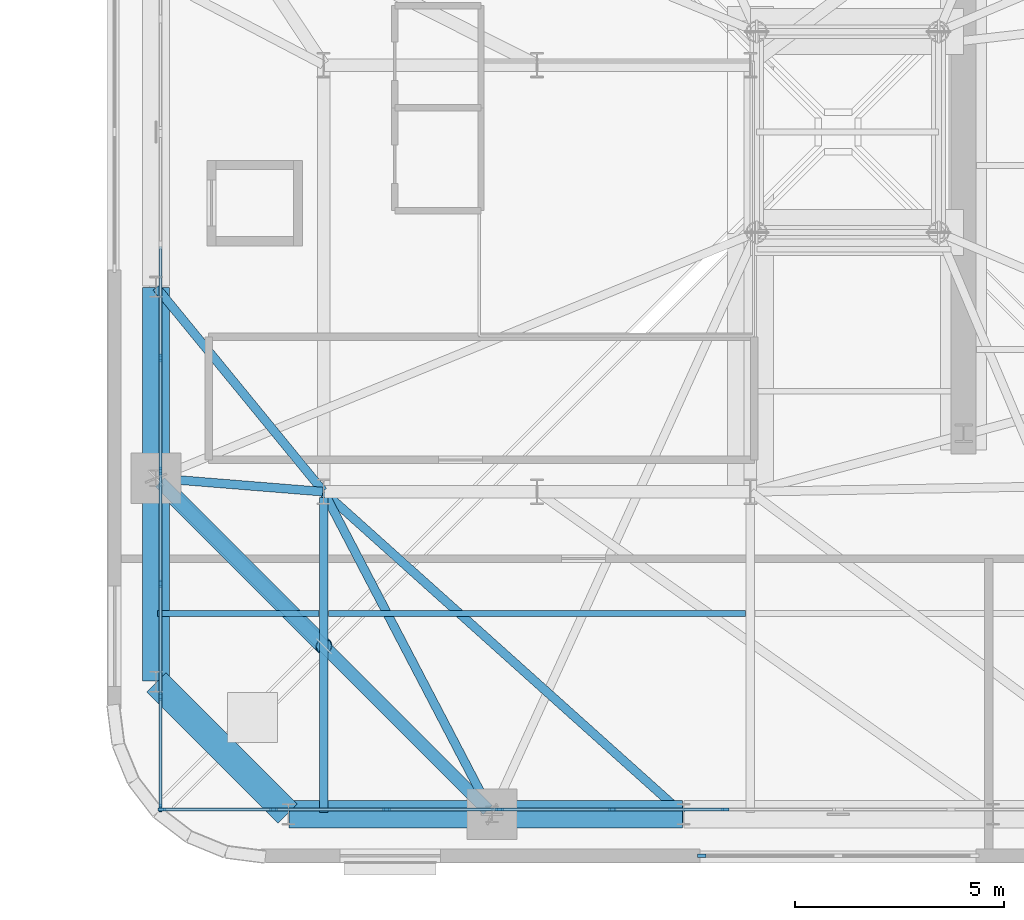
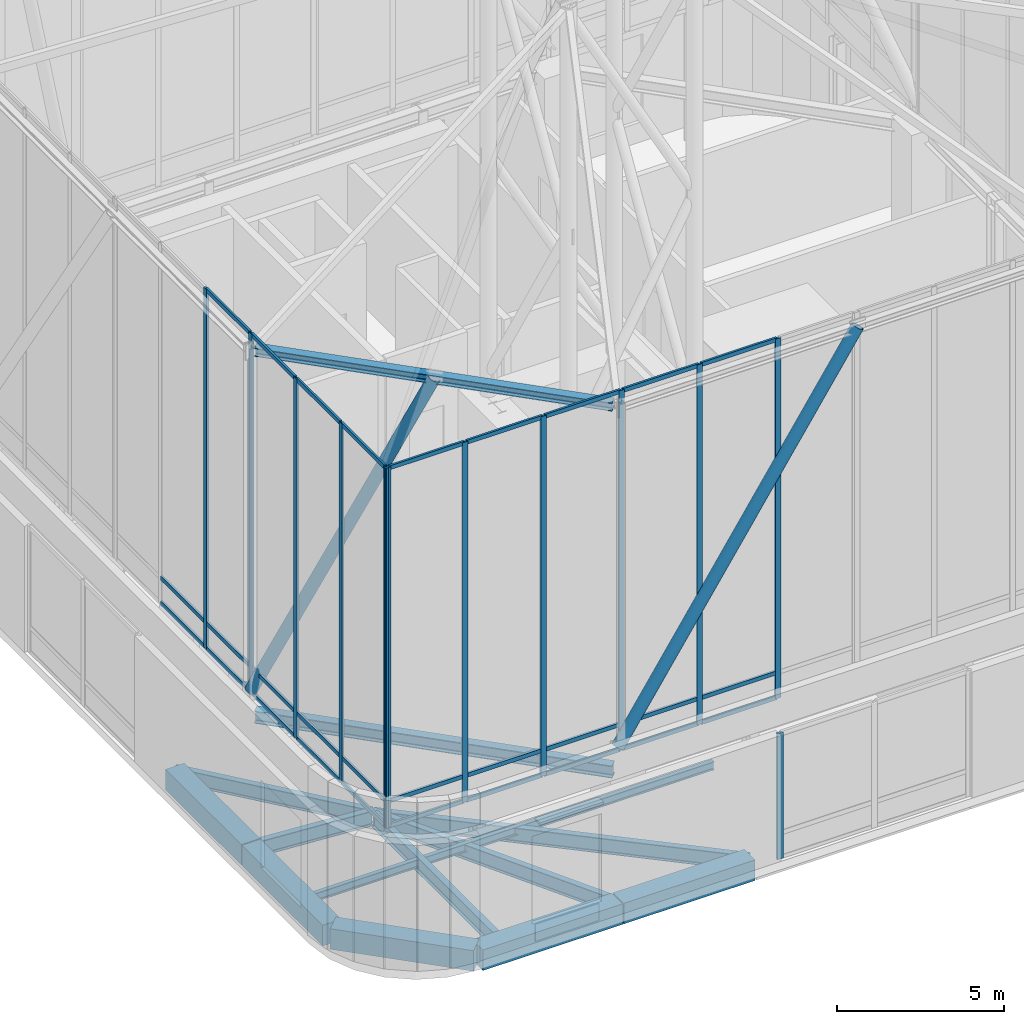
# One storey, part 2 of 15: 43 members, 14 beams, 3 elements without a shape of their own.
"""IFC4 building model written with IfcOpenShell, lengths in metres."""

from ifc_helpers import new_model, si_unit, direction, frame, origin, origin_2d, place, context, subcontext, project, spatial, rectangle, hollow_circle, i_section, extrude, source, transform, mapped, material, material_profile, profile_set, type_object, element, aggregate, save


model = new_model("IFC4")

# Units and contexts
model_context = context("Model", 3, precision=1e-05, world=origin(), true_north=direction((0.0, 1.0)))
body_context = subcontext(model_context, "Body", "Model", "MODEL_VIEW")
ifc_project = project(units=[si_unit("LENGTHUNIT", "METRE"), si_unit("AREAUNIT", "SQUARE_METRE"), si_unit("VOLUMEUNIT", "CUBIC_METRE"), si_unit("PLANEANGLEUNIT", "RADIAN"), si_unit("MASSUNIT", "GRAM", prefix="KILO")], contexts=[model_context])

# Site, building, storey
site_placement = place(None, origin())
site = spatial("IfcSite", under=ifc_project, at=site_placement, CompositionType="ELEMENT")
building_placement = place(site_placement, origin())
building = spatial("IfcBuilding", under=site, at=building_placement, Name="Vardaveli Station Tower", CompositionType="ELEMENT")
storey_placement = place(building_placement, frame((0.0, 0.0, 301.14990234375)))
storey = spatial("IfcBuildingStorey", under=building, at=storey_placement, Name="L76", CompositionType="ELEMENT", Elevation=301.14990234375)

# Beams
ifc_material_1 = material(Name="Structural steel S355J2", Category="steel")
ifc_material_profile_1 = material_profile(ifc_material_1, i_section(OverallWidth=0.14990234375, OverallDepth=0.300048828125, WebThickness=0.007080078125, FlangeThickness=0.0107421875, FilletRadius=0.014892578125, at=origin_2d()), Name="IPE 300")
ifc_profile_set_1 = profile_set([ifc_material_profile_1], Name="Structural steel S355J2")
beam_type_1 = type_object("IfcBeamType", Name="BM-IPE300", PredefinedType="JOIST", material=ifc_profile_set_1)
shared_shape_1 = source(origin(), body_context, "Body", "SweptSolid", [
    extrude(i_section(OverallWidth=0.14990234375, OverallDepth=0.300048828125, WebThickness=0.007080078125, FlangeThickness=0.0107421875, FilletRadius=0.014892578125, at=origin_2d()), origin(), (0.0, 0.0, 1.0), 9.97607421875),
])
beam_1_placement = place(storey_placement, frame((31.31201171875, 13.68994140625, -0.449951171875), z_axis=(1.0, 0.0, 0.0), x_axis=(0.0, 1.0, 0.0)))
element("IfcBeam", 1, at=beam_1_placement, inside=storey, type_object=beam_type_1, Name="SJ-L76-S02", PredefinedType="JOIST", context=body_context, shape_type="MappedRepresentation", body=[
    mapped(shared_shape_1, transform((0.0, 0.0, 0.0), scale=1.0)),
])
ifc_material_2 = material(Name="Precast concrete C45/55", Category="concrete")
ifc_material_profile_2 = material_profile(ifc_material_2, rectangle(XDim=0.64990234375, YDim=0.75, at=origin_2d()), Name="LPB 650x750")
ifc_profile_set_2 = profile_set([ifc_material_profile_2], Name="Precast concrete C45/55")
beam_type_2 = type_object("IfcBeamType", Name="BM-LPB-750", PredefinedType="BEAM", material=ifc_profile_set_2)
shared_shape_2 = source(origin(), body_context, "Body", "SweptSolid", [
    extrude(rectangle(XDim=0.64990234375, YDim=0.75, at=origin_2d()), origin(), (0.0, 0.0, 1.0), 4.535888671875),
])
for number, where, z_axis, x_axis, name in (
    (2, (35.244140625, 8.889892578125, -0.6748046875), (1.0, 0.0, 0.0), (0.0, 1.0, 0.0), "RBM-L76-01"),
    (3, (27.18994140625, 21.47998046875, -0.6748046875), (0.0, -1.0, 0.0), (1.0, 0.0, 0.0), "RBM-L76-21"),
):
    element("IfcBeam", number, at=place(storey_placement, frame(where, z_axis=z_axis, x_axis=x_axis)), inside=storey, type_object=beam_type_2, Name=name, PredefinedType="BEAM", context=body_context, shape_type="MappedRepresentation", body=[
        mapped(shared_shape_2, transform((0.0, 0.0, 0.0), scale=1.0)),
    ])
shared_shape_3 = source(origin(), body_context, "Body", "SweptSolid", [
    extrude(rectangle(XDim=0.64990234375, YDim=0.75, at=origin_2d()), origin(), (0.0, 0.0, 1.0), 4.8271484375),
])
beam_2_placement = place(storey_placement, frame((30.376953125, 8.889892578125, -0.6748046875), z_axis=(1.0, 0.0, 0.0), x_axis=(0.0, 1.0, 0.0)))
element("IfcBeam", 4, at=beam_2_placement, inside=storey, type_object=beam_type_2, Name="RBM-L76-24", PredefinedType="BEAM", context=body_context, shape_type="MappedRepresentation", body=[
    mapped(shared_shape_3, transform((0.0, 0.0, 0.0), scale=1.0)),
])
shared_shape_4 = source(origin(), body_context, "Body", "SweptSolid", [
    extrude(rectangle(XDim=0.64990234375, YDim=0.75, at=origin_2d()), origin(), (0.0, 0.0, 1.0), 4.43896484375),
])
beam_3_placement = place(storey_placement, frame((27.2041015625, 12.04296875, -0.6748046875), z_axis=(0.70707928068, -0.707134280624, 0.0), x_axis=(0.707134280624, 0.70707928068, 0.0)))
element("IfcBeam", 5, at=beam_3_placement, inside=storey, type_object=beam_type_2, Name="RBM-L76-23", PredefinedType="BEAM", context=body_context, shape_type="MappedRepresentation", body=[
    mapped(shared_shape_4, transform((0.0, 0.0, 0.0), scale=1.0)),
])
shared_shape_5 = source(origin(), body_context, "Body", "SweptSolid", [
    extrude(rectangle(XDim=0.64990234375, YDim=0.75, at=origin_2d()), origin(), (0.0, 0.0, 1.0), 4.827392578125),
])
beam_4_placement = place(storey_placement, frame((27.18994140625, 16.904296875, -0.6748046875), z_axis=(0.0, -1.0, 0.0), x_axis=(1.0, 0.0, 0.0)))
element("IfcBeam", 6, at=beam_4_placement, inside=storey, type_object=beam_type_2, Name="RBM-L76-22", PredefinedType="BEAM", context=body_context, shape_type="MappedRepresentation", body=[
    mapped(shared_shape_5, transform((0.0, 0.0, 0.0), scale=1.0)),
])
ifc_material_profile_3 = material_profile(ifc_material_1, i_section(OverallWidth=0.2099609375, OverallDepth=0.550048828125, WebThickness=0.010986328125, FlangeThickness=0.01708984375, FilletRadius=0.02392578125, at=origin_2d()), Name="IPE 550")
ifc_profile_set_3 = profile_set([ifc_material_profile_3], Name="Structural steel S355J2")
beam_type_3 = type_object("IfcBeamType", Name="BM-IPE550", PredefinedType="BEAM", material=ifc_profile_set_3)
shared_shape_6 = source(origin(), body_context, "Body", "SweptSolid", [
    extrude(i_section(OverallWidth=0.2099609375, OverallDepth=0.550048828125, WebThickness=0.010986328125, FlangeThickness=0.01708984375, FilletRadius=0.02392578125, at=origin_2d()), origin(), (0.0, 0.0, 1.0), 8.656982421875),
])
beam_5_placement = place(storey_placement, frame((35.21484375, 8.90771484375, -0.574951171875), z_axis=(-0.46270189642, 0.886513933928, 0.0), x_axis=(-0.886513933928, -0.46270189642, 0.0)))
element("IfcBeam", 7, at=beam_5_placement, inside=storey, type_object=beam_type_3, Name="GBM-L76-01", PredefinedType="BEAM", context=body_context, shape_type="MappedRepresentation", body=[
    mapped(shared_shape_6, transform((0.0, 0.0, 0.0), scale=1.0)),
])
shared_shape_7 = source(origin(), body_context, "Body", "SweptSolid", [
    extrude(i_section(OverallWidth=0.2099609375, OverallDepth=0.550048828125, WebThickness=0.010986328125, FlangeThickness=0.01708984375, FilletRadius=0.02392578125, at=origin_2d()), origin(), (0.0, 0.0, 1.0), 11.51025390625),
])
beam_6_placement = place(storey_placement, frame((39.78515625, 8.9033203125, -0.574951171875), z_axis=(-0.744585799486, 0.667526768904, 0.0), x_axis=(-0.667526768904, -0.744585799486, 0.0)))
element("IfcBeam", 8, at=beam_6_placement, inside=storey, type_object=beam_type_3, Name="GBM-L76-02", PredefinedType="BEAM", context=body_context, shape_type="MappedRepresentation", body=[
    mapped(shared_shape_7, transform((0.0, 0.0, 0.0), scale=1.0)),
])
shared_shape_8 = source(origin(), body_context, "Body", "SweptSolid", [
    extrude(i_section(OverallWidth=0.2099609375, OverallDepth=0.550048828125, WebThickness=0.010986328125, FlangeThickness=0.01708984375, FilletRadius=0.02392578125, at=origin_2d()), origin(), (0.0, 0.0, 1.0), 6.291748046875),
])
beam_7_placement = place(storey_placement, frame((27.20263671875, 21.484619140625, -0.574951171875), z_axis=(0.633311744511, -0.773896785278, 0.0), x_axis=(0.773896785278, 0.633311744511, 0.0)))
element("IfcBeam", 9, at=beam_7_placement, inside=storey, type_object=beam_type_3, Name="GBM-L76-09", PredefinedType="BEAM", context=body_context, shape_type="MappedRepresentation", body=[
    mapped(shared_shape_8, transform((0.0, 0.0, 0.0), scale=1.0)),
])
shared_shape_9 = source(origin(), body_context, "Body", "SweptSolid", [
    extrude(i_section(OverallWidth=0.2099609375, OverallDepth=0.550048828125, WebThickness=0.010986328125, FlangeThickness=0.01708984375, FilletRadius=0.02392578125, at=origin_2d()), origin(), (0.0, 0.0, 1.0), 3.983154296875),
])
beam_8_placement = place(storey_placement, frame((27.2099609375, 16.922607421875, -0.574951171875), z_axis=(0.996746505308, -0.08060027392, 0.0), x_axis=(0.08060027392, 0.996746505308, 0.0)))
element("IfcBeam", 10, at=beam_8_placement, inside=storey, type_object=beam_type_3, Name="GBM-L76-10", PredefinedType="BEAM", context=body_context, shape_type="MappedRepresentation", body=[
    mapped(shared_shape_9, transform((0.0, 0.0, 0.0), scale=1.0)),
])
shared_shape_10 = source(origin(), body_context, "Body", "SweptSolid", [
    extrude(i_section(OverallWidth=0.2099609375, OverallDepth=0.550048828125, WebThickness=0.010986328125, FlangeThickness=0.01708984375, FilletRadius=0.02392578125, at=origin_2d()), origin(), (0.0, 0.0, 1.0), 7.530029296875),
])
beam_9_placement = place(storey_placement, frame((31.199951171875, 8.929931640625, -0.574951171875), z_axis=(0.0, 1.0, 0.0), x_axis=(-1.0, 0.0, 0.0)))
element("IfcBeam", 11, at=beam_9_placement, inside=storey, type_object=beam_type_3, Name="NSM-L76-S1", PredefinedType="BEAM", context=body_context, shape_type="MappedRepresentation", body=[
    mapped(shared_shape_10, transform((0.0, 0.0, 0.0), scale=1.0)),
])
shared_shape_11 = source(origin(), body_context, "Body", "SweptSolid", [
    extrude(i_section(OverallWidth=0.14990234375, OverallDepth=0.300048828125, WebThickness=0.007080078125, FlangeThickness=0.0107421875, FilletRadius=0.014892578125, at=origin_2d()), origin(), (0.0, 0.0, 1.0), 3.85791015625),
])
beam_10_placement = place(storey_placement, frame((27.22998046875, 13.68994140625, -0.449951171875), z_axis=(1.0, 0.0, 0.0), x_axis=(0.0, 1.0, 0.0)))
element("IfcBeam", 12, at=beam_10_placement, inside=storey, type_object=beam_type_1, Name="SJ-L76-S01", PredefinedType="JOIST", context=body_context, shape_type="MappedRepresentation", body=[
    mapped(shared_shape_11, transform((0.0, 0.0, 0.0), scale=1.0)),
])
ifc_material_profile_4 = material_profile(ifc_material_1, i_section(OverallWidth=0.300048828125, OverallDepth=0.449951171875, WebThickness=0.013916015625, FlangeThickness=0.02587890625, FilletRadius=0.027099609375, at=origin_2d()), Name="HEB 450")
ifc_profile_set_4 = profile_set([ifc_material_profile_4], Name="Structural steel S355J2")
beam_type_4 = type_object("IfcBeamType", Name="BM-HEB450", PredefinedType="BEAM", material=ifc_profile_set_4)
shared_shape_12 = source(origin(), body_context, "Body", "SweptSolid", [
    extrude(i_section(OverallWidth=0.300048828125, OverallDepth=0.449951171875, WebThickness=0.013916015625, FlangeThickness=0.02587890625, FilletRadius=0.027099609375, at=origin_2d()), origin(), (0.0, 0.0, 1.0), 11.08203125),
])
beam_11_placement = place(storey_placement, frame((27.2890625, 16.8251953125, 4.375), z_axis=(0.707106781187, -0.707106781187, 0.0), x_axis=(0.707106781187, 0.707106781187, 0.0)))
element("IfcBeam", 13, at=beam_11_placement, inside=storey, type_object=beam_type_4, Name="CRB-BASE-08", PredefinedType="BEAM", context=body_context, shape_type="MappedRepresentation", body=[
    mapped(shared_shape_12, transform((0.0, 0.0, 0.0), scale=1.0)),
])

# Members
ifc_material_3 = material(Name="Structural steel S460M", Category="steel")
ifc_material_profile_5 = material_profile(ifc_material_3, hollow_circle(Radius=0.203125, WallThickness=0.02001953125, at=origin_2d()), Name="CHS 406.4x20")
ifc_profile_set_5 = profile_set([ifc_material_profile_5], Name="Structural steel S460M")
member_type_1 = type_object("IfcMemberType", Name="MEM-ST-CHS406", PredefinedType="STRUT", material=ifc_profile_set_5)
shared_shape_13 = source(origin(), body_context, "Body", "SweptSolid", [
    extrude(hollow_circle(Radius=0.203125, WallThickness=0.02001953125, at=origin_2d()), origin(), (0.0, 0.0, 1.0), 14.949951171875),
])
member_1_placement = place(storey_placement, frame((35.22412109375, 8.889892578125, 5.25), z_axis=(0.553576644166, 0.0, 0.832798234288), x_axis=(0.0, 1.0, 0.0)))
element("IfcMember", 14, at=member_1_placement, inside=storey, type_object=member_type_1, Name="CRM-STR-01", PredefinedType="STRUT", context=body_context, shape_type="MappedRepresentation", body=[
    mapped(shared_shape_13, transform((0.0, 0.0, 0.0), scale=1.0)),
])
shared_shape_14 = source(origin(), body_context, "Body", "SweptSolid", [
    extrude(hollow_circle(Radius=0.203125, WallThickness=0.02001953125, at=origin_2d()), origin(), (0.0, 0.0, 1.0), 13.68505859375),
])
member_2_placement = place(storey_placement, frame((27.18994140625, 16.92431640625, 5.25), z_axis=(0.2935364006, -0.29355424042, 0.909759467911), x_axis=(0.70712826759, 0.707085294131, 0.0)))
element("IfcMember", 15, at=member_2_placement, inside=storey, type_object=member_type_1, Name="CRM-STR-08", PredefinedType="STRUT", context=body_context, shape_type="MappedRepresentation", body=[
    mapped(shared_shape_14, transform((0.0, 0.0, 0.0), scale=1.0)),
])

# Beam
ifc_material_profile_6 = material_profile(ifc_material_1, i_section(OverallWidth=0.300048828125, OverallDepth=0.300048828125, WebThickness=0.010986328125, FlangeThickness=0.01904296875, FilletRadius=0.027099609375, at=origin_2d()), Name="HEB 300")
ifc_profile_set_6 = profile_set([ifc_material_profile_6], Name="Structural steel S355J2")
beam_type_5 = type_object("IfcBeamType", Name="BM-HEB300", PredefinedType="BEAM", material=ifc_profile_set_6)
shared_shape_15 = source(origin(), body_context, "Body", "SweptSolid", [
    extrude(i_section(OverallWidth=0.300048828125, OverallDepth=0.300048828125, WebThickness=0.010986328125, FlangeThickness=0.01904296875, FilletRadius=0.027099609375, at=origin_2d()), origin(), (0.0, 0.0, 1.0), 11.08203125),
])
beam_12_placement = place(storey_placement, frame((27.2890625, 16.8251953125, 17.7001953125), z_axis=(0.707106781187, -0.707106781187, 0.0), x_axis=(0.707106781187, 0.707106781187, 0.0)))
element("IfcBeam", 16, at=beam_12_placement, inside=storey, type_object=beam_type_5, Name="CRB-EAVE-08", PredefinedType="BEAM", context=body_context, shape_type="MappedRepresentation", body=[
    mapped(shared_shape_15, transform((0.0, 0.0, 0.0), scale=1.0)),
])

# Curtain wall, member
ifc_material_4 = material(Name="Travertine stone and solar-control glass", Category="masonry")
curtain_wall_type_1 = type_object("IfcCurtainWallType", Name="CW-SYS-5", PredefinedType="NOTDEFINED", material=ifc_material_4)
curtain_wall_1_placement = place(storey_placement, origin())
curtain_wall_1 = element("IfcCurtainWall", 17, at=curtain_wall_1_placement, inside=storey, type_object=curtain_wall_type_1, Name="CW-L76-S", PredefinedType="NOTDEFINED")
ifc_material_5 = material(Name="Anodised aluminium alloy 6063-T6", Category="aluminium")
ifc_material_profile_7 = material_profile(ifc_material_5, rectangle(XDim=0.080078125, YDim=0.205078125, at=origin_2d()), Name="CWM 80x205")
ifc_profile_set_7 = profile_set([ifc_material_profile_7], Name="Anodised aluminium alloy 6063-T6")
member_type_2 = type_object("IfcMemberType", Name="CW-SYS-5-MULL", PredefinedType="MULLION", material=ifc_profile_set_7)
shared_shape_16 = source(origin(), body_context, "Body", "SweptSolid", [
    extrude(rectangle(XDim=0.080078125, YDim=0.205078125, at=origin_2d()), origin(), (0.0, 0.0, 1.0), 4.60009765625),
])
member_3_placement = place(storey_placement, frame((40.239990234375, 7.89990234375, 0.0), z_axis=(0.0, 0.0, 1.0), x_axis=(0.0, 1.0, 0.0)))
member_3 = element("IfcMember", 18, at=member_3_placement, type_object=member_type_2, Name="CW-5 mullion 1", PredefinedType="MULLION", context=body_context, shape_type="MappedRepresentation", body=[
    mapped(shared_shape_16, transform((0.0, 0.0, 0.0), scale=1.0)),
])
aggregate(curtain_wall_1, [member_3])

# Curtain wall, members
curtain_wall_type_2 = type_object("IfcCurtainWallType", Name="CW-SYS-6", PredefinedType="NOTDEFINED", material=ifc_material_4)
curtain_wall_2_placement = place(storey_placement, origin())
curtain_wall_2 = element("IfcCurtainWall", 19, at=curtain_wall_2_placement, inside=storey, type_object=curtain_wall_type_2, Name="CW-L76-CRN-S1", PredefinedType="NOTDEFINED")
ifc_material_profile_8 = material_profile(ifc_material_5, rectangle(XDim=0.074951171875, YDim=0.18994140625, at=origin_2d()), Name="CWM 75x190")
ifc_profile_set_8 = profile_set([ifc_material_profile_8], Name="Anodised aluminium alloy 6063-T6")
member_type_3 = type_object("IfcMemberType", Name="CW-SYS-6-MULL", PredefinedType="MULLION", material=ifc_profile_set_8)
shared_shape_17 = source(origin(), body_context, "Body", "SweptSolid", [
    extrude(rectangle(XDim=0.074951171875, YDim=0.18994140625, at=origin_2d()), origin(), (0.0, 0.0, 1.0), 13.150146484375),
])
member_4_placement = place(storey_placement, frame((27.33740234375, 9.0, 5.0), z_axis=(0.0, 0.0, 1.0), x_axis=(0.0, 1.0, 0.0)))
member_4 = element("IfcMember", 20, at=member_4_placement, type_object=member_type_3, Name="CW-6 mullion 1", PredefinedType="MULLION", context=body_context, shape_type="MappedRepresentation", body=[
    mapped(shared_shape_17, transform((0.0, 0.0, 0.0), scale=1.0)),
])
member_5_placement = place(storey_placement, frame((30.0, 9.0, 5.0), z_axis=(0.0, 0.0, 1.0), x_axis=(0.0, 1.0, 0.0)))
member_5 = element("IfcMember", 21, at=member_5_placement, type_object=member_type_3, Name="CW-6 mullion 2", PredefinedType="MULLION", context=body_context, shape_type="MappedRepresentation", body=[
    mapped(shared_shape_17, transform((0.0, 0.0, 0.0), scale=1.0)),
])
member_6_placement = place(storey_placement, frame((32.699951171875, 9.0, 5.0), z_axis=(0.0, 0.0, 1.0), x_axis=(0.0, 1.0, 0.0)))
member_6 = element("IfcMember", 22, at=member_6_placement, type_object=member_type_3, Name="CW-6 mullion 3", PredefinedType="MULLION", context=body_context, shape_type="MappedRepresentation", body=[
    mapped(shared_shape_17, transform((0.0, 0.0, 0.0), scale=1.0)),
])
member_7_placement = place(storey_placement, frame((35.39990234375, 9.0, 5.0), z_axis=(0.0, 0.0, 1.0), x_axis=(0.0, 1.0, 0.0)))
member_7 = element("IfcMember", 23, at=member_7_placement, type_object=member_type_3, Name="CW-6 mullion 4", PredefinedType="MULLION", context=body_context, shape_type="MappedRepresentation", body=[
    mapped(shared_shape_17, transform((0.0, 0.0, 0.0), scale=1.0)),
])
member_8_placement = place(storey_placement, frame((38.10009765625, 9.0, 5.0), z_axis=(0.0, 0.0, 1.0), x_axis=(0.0, 1.0, 0.0)))
member_8 = element("IfcMember", 24, at=member_8_placement, type_object=member_type_3, Name="CW-6 mullion 5", PredefinedType="MULLION", context=body_context, shape_type="MappedRepresentation", body=[
    mapped(shared_shape_17, transform((0.0, 0.0, 0.0), scale=1.0)),
])
member_9_placement = place(storey_placement, frame((40.800048828125, 9.0, 5.0), z_axis=(0.0, 0.0, 1.0), x_axis=(0.0, 1.0, 0.0)))
member_9 = element("IfcMember", 25, at=member_9_placement, type_object=member_type_3, Name="CW-6 mullion 6", PredefinedType="MULLION", context=body_context, shape_type="MappedRepresentation", body=[
    mapped(shared_shape_17, transform((0.0, 0.0, 0.0), scale=1.0)),
])

curtain_wall_3_placement = place(storey_placement, origin())
curtain_wall_3 = element("IfcCurtainWall", 26, at=curtain_wall_3_placement, inside=storey, type_object=curtain_wall_type_2, Name="CW-L76-CRN-W2", PredefinedType="NOTDEFINED")
member_10_placement = place(storey_placement, frame((27.300048828125, 19.800048828125, 5.0), z_axis=(0.0, 0.0, 1.0), x_axis=(1.0, 0.0, 0.0)))
member_10 = element("IfcMember", 27, at=member_10_placement, type_object=member_type_3, Name="CW-6 mullion 3", PredefinedType="MULLION", context=body_context, shape_type="MappedRepresentation", body=[
    mapped(shared_shape_17, transform((0.0, 0.0, 0.0), scale=1.0)),
])
member_11_placement = place(storey_placement, frame((27.300048828125, 17.10009765625, 5.0), z_axis=(0.0, 0.0, 1.0), x_axis=(1.0, 0.0, 0.0)))
member_11 = element("IfcMember", 28, at=member_11_placement, type_object=member_type_3, Name="CW-6 mullion 4", PredefinedType="MULLION", context=body_context, shape_type="MappedRepresentation", body=[
    mapped(shared_shape_17, transform((0.0, 0.0, 0.0), scale=1.0)),
])
member_12_placement = place(storey_placement, frame((27.300048828125, 14.39990234375, 5.0), z_axis=(0.0, 0.0, 1.0), x_axis=(1.0, 0.0, 0.0)))
member_12 = element("IfcMember", 29, at=member_12_placement, type_object=member_type_3, Name="CW-6 mullion 5", PredefinedType="MULLION", context=body_context, shape_type="MappedRepresentation", body=[
    mapped(shared_shape_17, transform((0.0, 0.0, 0.0), scale=1.0)),
])
member_13_placement = place(storey_placement, frame((27.300048828125, 11.699951171875, 5.0), z_axis=(0.0, 0.0, 1.0), x_axis=(1.0, 0.0, 0.0)))
member_13 = element("IfcMember", 30, at=member_13_placement, type_object=member_type_3, Name="CW-6 mullion 6", PredefinedType="MULLION", context=body_context, shape_type="MappedRepresentation", body=[
    mapped(shared_shape_17, transform((0.0, 0.0, 0.0), scale=1.0)),
])
member_14_placement = place(storey_placement, frame((27.300048828125, 9.03759765625, 5.0), z_axis=(0.0, 0.0, 1.0), x_axis=(1.0, 0.0, 0.0)))
member_14 = element("IfcMember", 31, at=member_14_placement, type_object=member_type_3, Name="CW-6 mullion 7", PredefinedType="MULLION", context=body_context, shape_type="MappedRepresentation", body=[
    mapped(shared_shape_17, transform((0.0, 0.0, 0.0), scale=1.0)),
])

# Member
ifc_material_profile_9 = material_profile(ifc_material_5, rectangle(XDim=0.074951171875, YDim=0.14990234375, at=origin_2d()), Name="CWT 75x150")
ifc_profile_set_9 = profile_set([ifc_material_profile_9], Name="Anodised aluminium alloy 6063-T6")
member_type_4 = type_object("IfcMemberType", Name="CW-SYS-6-TRAN", PredefinedType="NOTDEFINED", material=ifc_profile_set_9)
shared_shape_18 = source(origin(), body_context, "Body", "SweptSolid", [
    extrude(rectangle(XDim=0.074951171875, YDim=0.14990234375, at=origin_2d()), origin(), (0.0, 0.0, 1.0), 2.58740234375),
])
member_15_placement = place(storey_placement, frame((27.375, 9.0, 5.03759765625), z_axis=(1.0, 0.0, 0.0), x_axis=(0.0, 1.0, 0.0)))
member_15 = element("IfcMember", 32, at=member_15_placement, type_object=member_type_4, Name="CW-6 transom 1.1", ObjectType="TRANSOM", PredefinedType="USERDEFINED", context=body_context, shape_type="MappedRepresentation", body=[
    mapped(shared_shape_18, transform((0.0, 0.0, 0.0), scale=1.0)),
])

member_16_placement = place(storey_placement, frame((27.375, 9.0, 5.9501953125), z_axis=(1.0, 0.0, 0.0), x_axis=(0.0, 1.0, 0.0)))
member_16 = element("IfcMember", 33, at=member_16_placement, type_object=member_type_4, Name="CW-6 transom 1.2", ObjectType="TRANSOM", PredefinedType="USERDEFINED", context=body_context, shape_type="MappedRepresentation", body=[
    mapped(shared_shape_18, transform((0.0, 0.0, 0.0), scale=1.0)),
])

member_17_placement = place(storey_placement, frame((27.375, 9.0, 18.112548828125), z_axis=(1.0, 0.0, 0.0), x_axis=(0.0, 1.0, 0.0)))
member_17 = element("IfcMember", 34, at=member_17_placement, type_object=member_type_4, Name="CW-6 transom 1.3", ObjectType="TRANSOM", PredefinedType="USERDEFINED", context=body_context, shape_type="MappedRepresentation", body=[
    mapped(shared_shape_18, transform((0.0, 0.0, 0.0), scale=1.0)),
])

shared_shape_19 = source(origin(), body_context, "Body", "SweptSolid", [
    extrude(rectangle(XDim=0.074951171875, YDim=0.14990234375, at=origin_2d()), origin(), (0.0, 0.0, 1.0), 2.625),
])
member_18_placement = place(storey_placement, frame((30.03759765625, 9.0, 5.03759765625), z_axis=(1.0, 0.0, 0.0), x_axis=(0.0, 1.0, 0.0)))
member_18 = element("IfcMember", 35, at=member_18_placement, type_object=member_type_4, Name="CW-6 transom 2.1", ObjectType="TRANSOM", PredefinedType="USERDEFINED", context=body_context, shape_type="MappedRepresentation", body=[
    mapped(shared_shape_19, transform((0.0, 0.0, 0.0), scale=1.0)),
])

member_19_placement = place(storey_placement, frame((30.03759765625, 9.0, 5.9501953125), z_axis=(1.0, 0.0, 0.0), x_axis=(0.0, 1.0, 0.0)))
member_19 = element("IfcMember", 36, at=member_19_placement, type_object=member_type_4, Name="CW-6 transom 2.2", ObjectType="TRANSOM", PredefinedType="USERDEFINED", context=body_context, shape_type="MappedRepresentation", body=[
    mapped(shared_shape_19, transform((0.0, 0.0, 0.0), scale=1.0)),
])

member_20_placement = place(storey_placement, frame((30.03759765625, 9.0, 18.112548828125), z_axis=(1.0, 0.0, 0.0), x_axis=(0.0, 1.0, 0.0)))
member_20 = element("IfcMember", 37, at=member_20_placement, type_object=member_type_4, Name="CW-6 transom 2.3", ObjectType="TRANSOM", PredefinedType="USERDEFINED", context=body_context, shape_type="MappedRepresentation", body=[
    mapped(shared_shape_19, transform((0.0, 0.0, 0.0), scale=1.0)),
])

member_21_placement = place(storey_placement, frame((32.737548828125, 9.0, 5.03759765625), z_axis=(1.0, 0.0, 0.0), x_axis=(0.0, 1.0, 0.0)))
member_21 = element("IfcMember", 38, at=member_21_placement, type_object=member_type_4, Name="CW-6 transom 3.1", ObjectType="TRANSOM", PredefinedType="USERDEFINED", context=body_context, shape_type="MappedRepresentation", body=[
    mapped(shared_shape_19, transform((0.0, 0.0, 0.0), scale=1.0)),
])

member_22_placement = place(storey_placement, frame((32.737548828125, 9.0, 5.9501953125), z_axis=(1.0, 0.0, 0.0), x_axis=(0.0, 1.0, 0.0)))
member_22 = element("IfcMember", 39, at=member_22_placement, type_object=member_type_4, Name="CW-6 transom 3.2", ObjectType="TRANSOM", PredefinedType="USERDEFINED", context=body_context, shape_type="MappedRepresentation", body=[
    mapped(shared_shape_19, transform((0.0, 0.0, 0.0), scale=1.0)),
])

member_23_placement = place(storey_placement, frame((32.737548828125, 9.0, 18.112548828125), z_axis=(1.0, 0.0, 0.0), x_axis=(0.0, 1.0, 0.0)))
member_23 = element("IfcMember", 40, at=member_23_placement, type_object=member_type_4, Name="CW-6 transom 3.3", ObjectType="TRANSOM", PredefinedType="USERDEFINED", context=body_context, shape_type="MappedRepresentation", body=[
    mapped(shared_shape_19, transform((0.0, 0.0, 0.0), scale=1.0)),
])

member_24_placement = place(storey_placement, frame((35.4375, 9.0, 5.03759765625), z_axis=(1.0, 0.0, 0.0), x_axis=(0.0, 1.0, 0.0)))
member_24 = element("IfcMember", 41, at=member_24_placement, type_object=member_type_4, Name="CW-6 transom 4.1", ObjectType="TRANSOM", PredefinedType="USERDEFINED", context=body_context, shape_type="MappedRepresentation", body=[
    mapped(shared_shape_19, transform((0.0, 0.0, 0.0), scale=1.0)),
])

member_25_placement = place(storey_placement, frame((35.4375, 9.0, 5.9501953125), z_axis=(1.0, 0.0, 0.0), x_axis=(0.0, 1.0, 0.0)))
member_25 = element("IfcMember", 42, at=member_25_placement, type_object=member_type_4, Name="CW-6 transom 4.2", ObjectType="TRANSOM", PredefinedType="USERDEFINED", context=body_context, shape_type="MappedRepresentation", body=[
    mapped(shared_shape_19, transform((0.0, 0.0, 0.0), scale=1.0)),
])

member_26_placement = place(storey_placement, frame((35.4375, 9.0, 18.112548828125), z_axis=(1.0, 0.0, 0.0), x_axis=(0.0, 1.0, 0.0)))
member_26 = element("IfcMember", 43, at=member_26_placement, type_object=member_type_4, Name="CW-6 transom 4.3", ObjectType="TRANSOM", PredefinedType="USERDEFINED", context=body_context, shape_type="MappedRepresentation", body=[
    mapped(shared_shape_19, transform((0.0, 0.0, 0.0), scale=1.0)),
])

member_27_placement = place(storey_placement, frame((38.137451171875, 9.0, 5.03759765625), z_axis=(1.0, 0.0, 0.0), x_axis=(0.0, 1.0, 0.0)))
member_27 = element("IfcMember", 44, at=member_27_placement, type_object=member_type_4, Name="CW-6 transom 5.1", ObjectType="TRANSOM", PredefinedType="USERDEFINED", context=body_context, shape_type="MappedRepresentation", body=[
    mapped(shared_shape_19, transform((0.0, 0.0, 0.0), scale=1.0)),
])

member_28_placement = place(storey_placement, frame((38.137451171875, 9.0, 5.9501953125), z_axis=(1.0, 0.0, 0.0), x_axis=(0.0, 1.0, 0.0)))
member_28 = element("IfcMember", 45, at=member_28_placement, type_object=member_type_4, Name="CW-6 transom 5.2", ObjectType="TRANSOM", PredefinedType="USERDEFINED", context=body_context, shape_type="MappedRepresentation", body=[
    mapped(shared_shape_19, transform((0.0, 0.0, 0.0), scale=1.0)),
])

member_29_placement = place(storey_placement, frame((38.137451171875, 9.0, 18.112548828125), z_axis=(1.0, 0.0, 0.0), x_axis=(0.0, 1.0, 0.0)))
member_29 = element("IfcMember", 46, at=member_29_placement, type_object=member_type_4, Name="CW-6 transom 5.3", ObjectType="TRANSOM", PredefinedType="USERDEFINED", context=body_context, shape_type="MappedRepresentation", body=[
    mapped(shared_shape_19, transform((0.0, 0.0, 0.0), scale=1.0)),
])

aggregate(curtain_wall_2, [member_4, member_5, member_6, member_7, member_8, member_9, member_15, member_16, member_17, member_18, member_19, member_20, member_21, member_22, member_23, member_24, member_25, member_26, member_27, member_28, member_29])

member_30_placement = place(storey_placement, frame((27.300048828125, 22.46240234375, 5.03759765625), z_axis=(0.0, -1.0, 0.0), x_axis=(1.0, 0.0, 0.0)))
member_30 = element("IfcMember", 47, at=member_30_placement, type_object=member_type_4, Name="CW-6 transom 2.1", ObjectType="TRANSOM", PredefinedType="USERDEFINED", context=body_context, shape_type="MappedRepresentation", body=[
    mapped(shared_shape_19, transform((0.0, 0.0, 0.0), scale=1.0)),
])

member_31_placement = place(storey_placement, frame((27.300048828125, 22.46240234375, 5.9501953125), z_axis=(0.0, -1.0, 0.0), x_axis=(1.0, 0.0, 0.0)))
member_31 = element("IfcMember", 48, at=member_31_placement, type_object=member_type_4, Name="CW-6 transom 2.2", ObjectType="TRANSOM", PredefinedType="USERDEFINED", context=body_context, shape_type="MappedRepresentation", body=[
    mapped(shared_shape_19, transform((0.0, 0.0, 0.0), scale=1.0)),
])

member_32_placement = place(storey_placement, frame((27.300048828125, 19.762451171875, 5.03759765625), z_axis=(0.0, -1.0, 0.0), x_axis=(1.0, 0.0, 0.0)))
member_32 = element("IfcMember", 49, at=member_32_placement, type_object=member_type_4, Name="CW-6 transom 3.1", ObjectType="TRANSOM", PredefinedType="USERDEFINED", context=body_context, shape_type="MappedRepresentation", body=[
    mapped(shared_shape_19, transform((0.0, 0.0, 0.0), scale=1.0)),
])

member_33_placement = place(storey_placement, frame((27.300048828125, 19.762451171875, 5.9501953125), z_axis=(0.0, -1.0, 0.0), x_axis=(1.0, 0.0, 0.0)))
member_33 = element("IfcMember", 50, at=member_33_placement, type_object=member_type_4, Name="CW-6 transom 3.2", ObjectType="TRANSOM", PredefinedType="USERDEFINED", context=body_context, shape_type="MappedRepresentation", body=[
    mapped(shared_shape_19, transform((0.0, 0.0, 0.0), scale=1.0)),
])

member_34_placement = place(storey_placement, frame((27.300048828125, 19.762451171875, 18.112548828125), z_axis=(0.0, -1.0, 0.0), x_axis=(1.0, 0.0, 0.0)))
member_34 = element("IfcMember", 51, at=member_34_placement, type_object=member_type_4, Name="CW-6 transom 3.3", ObjectType="TRANSOM", PredefinedType="USERDEFINED", context=body_context, shape_type="MappedRepresentation", body=[
    mapped(shared_shape_19, transform((0.0, 0.0, 0.0), scale=1.0)),
])

member_35_placement = place(storey_placement, frame((27.300048828125, 17.0625, 5.03759765625), z_axis=(0.0, -1.0, 0.0), x_axis=(1.0, 0.0, 0.0)))
member_35 = element("IfcMember", 52, at=member_35_placement, type_object=member_type_4, Name="CW-6 transom 4.1", ObjectType="TRANSOM", PredefinedType="USERDEFINED", context=body_context, shape_type="MappedRepresentation", body=[
    mapped(shared_shape_19, transform((0.0, 0.0, 0.0), scale=1.0)),
])

member_36_placement = place(storey_placement, frame((27.300048828125, 17.0625, 5.9501953125), z_axis=(0.0, -1.0, 0.0), x_axis=(1.0, 0.0, 0.0)))
member_36 = element("IfcMember", 53, at=member_36_placement, type_object=member_type_4, Name="CW-6 transom 4.2", ObjectType="TRANSOM", PredefinedType="USERDEFINED", context=body_context, shape_type="MappedRepresentation", body=[
    mapped(shared_shape_19, transform((0.0, 0.0, 0.0), scale=1.0)),
])

member_37_placement = place(storey_placement, frame((27.300048828125, 17.0625, 18.112548828125), z_axis=(0.0, -1.0, 0.0), x_axis=(1.0, 0.0, 0.0)))
member_37 = element("IfcMember", 54, at=member_37_placement, type_object=member_type_4, Name="CW-6 transom 4.3", ObjectType="TRANSOM", PredefinedType="USERDEFINED", context=body_context, shape_type="MappedRepresentation", body=[
    mapped(shared_shape_19, transform((0.0, 0.0, 0.0), scale=1.0)),
])

member_38_placement = place(storey_placement, frame((27.300048828125, 14.362548828125, 5.03759765625), z_axis=(0.0, -1.0, 0.0), x_axis=(1.0, 0.0, 0.0)))
member_38 = element("IfcMember", 55, at=member_38_placement, type_object=member_type_4, Name="CW-6 transom 5.1", ObjectType="TRANSOM", PredefinedType="USERDEFINED", context=body_context, shape_type="MappedRepresentation", body=[
    mapped(shared_shape_19, transform((0.0, 0.0, 0.0), scale=1.0)),
])

member_39_placement = place(storey_placement, frame((27.300048828125, 14.362548828125, 5.9501953125), z_axis=(0.0, -1.0, 0.0), x_axis=(1.0, 0.0, 0.0)))
member_39 = element("IfcMember", 56, at=member_39_placement, type_object=member_type_4, Name="CW-6 transom 5.2", ObjectType="TRANSOM", PredefinedType="USERDEFINED", context=body_context, shape_type="MappedRepresentation", body=[
    mapped(shared_shape_19, transform((0.0, 0.0, 0.0), scale=1.0)),
])

member_40_placement = place(storey_placement, frame((27.300048828125, 14.362548828125, 18.112548828125), z_axis=(0.0, -1.0, 0.0), x_axis=(1.0, 0.0, 0.0)))
member_40 = element("IfcMember", 57, at=member_40_placement, type_object=member_type_4, Name="CW-6 transom 5.3", ObjectType="TRANSOM", PredefinedType="USERDEFINED", context=body_context, shape_type="MappedRepresentation", body=[
    mapped(shared_shape_19, transform((0.0, 0.0, 0.0), scale=1.0)),
])

shared_shape_20 = source(origin(), body_context, "Body", "SweptSolid", [
    extrude(rectangle(XDim=0.074951171875, YDim=0.14990234375, at=origin_2d()), origin(), (0.0, 0.0, 1.0), 2.587646484375),
])
member_41_placement = place(storey_placement, frame((27.300048828125, 11.66259765625, 5.03759765625), z_axis=(0.0, -1.0, 0.0), x_axis=(1.0, 0.0, 0.0)))
member_41 = element("IfcMember", 58, at=member_41_placement, type_object=member_type_4, Name="CW-6 transom 6.1", ObjectType="TRANSOM", PredefinedType="USERDEFINED", context=body_context, shape_type="MappedRepresentation", body=[
    mapped(shared_shape_20, transform((0.0, 0.0, 0.0), scale=1.0)),
])

member_42_placement = place(storey_placement, frame((27.300048828125, 11.66259765625, 5.9501953125), z_axis=(0.0, -1.0, 0.0), x_axis=(1.0, 0.0, 0.0)))
member_42 = element("IfcMember", 59, at=member_42_placement, type_object=member_type_4, Name="CW-6 transom 6.2", ObjectType="TRANSOM", PredefinedType="USERDEFINED", context=body_context, shape_type="MappedRepresentation", body=[
    mapped(shared_shape_20, transform((0.0, 0.0, 0.0), scale=1.0)),
])

member_43_placement = place(storey_placement, frame((27.300048828125, 11.66259765625, 18.112548828125), z_axis=(0.0, -1.0, 0.0), x_axis=(1.0, 0.0, 0.0)))
member_43 = element("IfcMember", 60, at=member_43_placement, type_object=member_type_4, Name="CW-6 transom 6.3", ObjectType="TRANSOM", PredefinedType="USERDEFINED", context=body_context, shape_type="MappedRepresentation", body=[
    mapped(shared_shape_20, transform((0.0, 0.0, 0.0), scale=1.0)),
])

aggregate(curtain_wall_3, [member_10, member_11, member_12, member_13, member_14, member_30, member_31, member_32, member_33, member_34, member_35, member_36, member_37, member_38, member_39, member_40, member_41, member_42, member_43])

save(model, "model.ifc")
